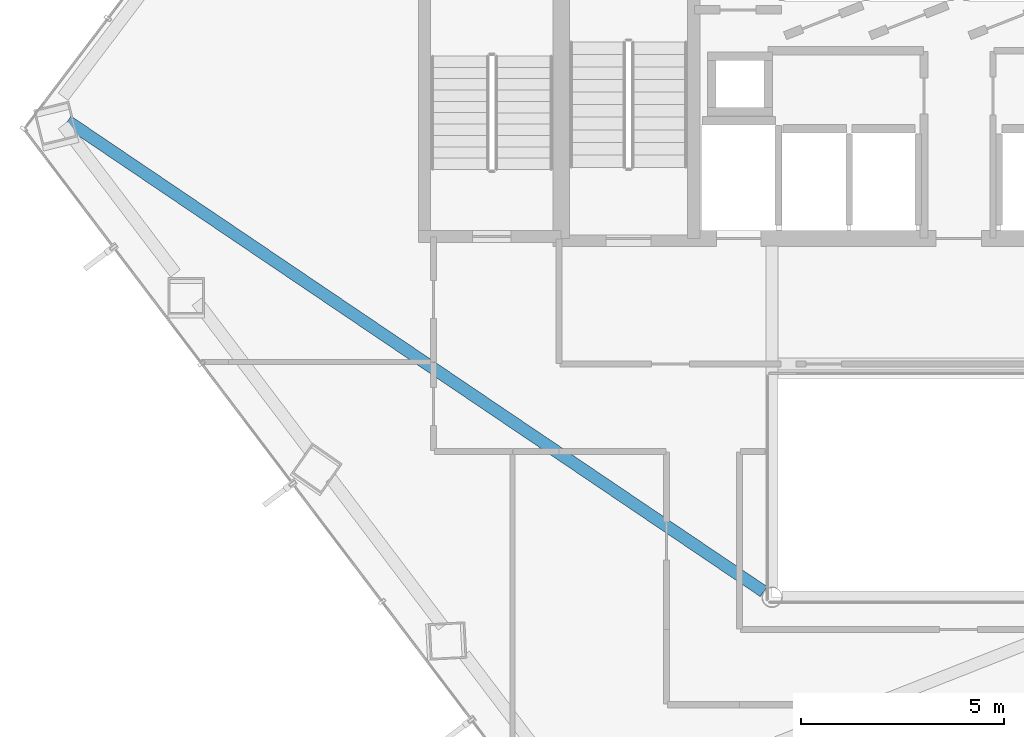
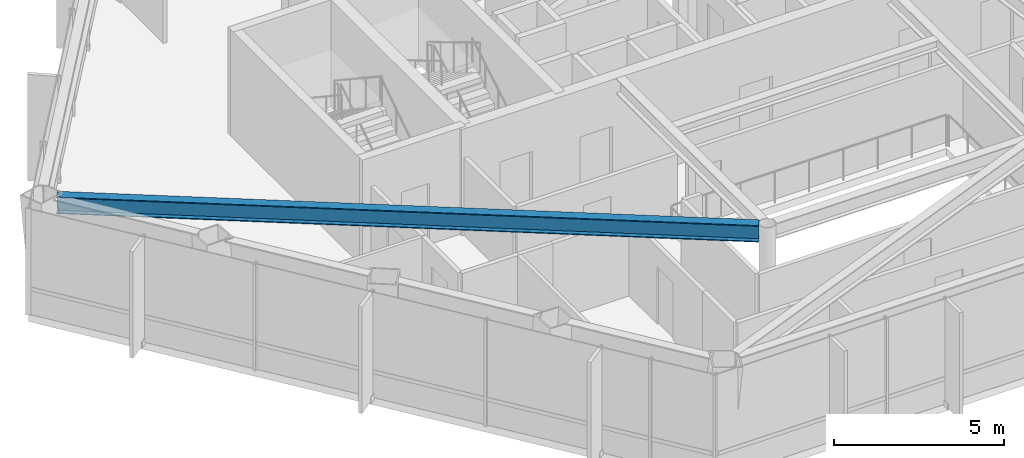
# One storey, part 5 of 26: 1 beam.
"""IFC4 building model written with IfcOpenShell, lengths in metres."""

from ifc_helpers import new_model, si_unit, direction, frame, origin, origin_2d, place, context, subcontext, project, spatial, i_section, extrude, material, material_profile, profile_set, type_object, element, save


model = new_model("IFC4")

# Units and contexts
model_context = context("Model", 3, precision=1e-05, world=origin(), true_north=direction((0.0, 1.0)))
body_context = subcontext(model_context, "Body", "Model", "MODEL_VIEW")
ifc_project = project(units=[si_unit("LENGTHUNIT", "METRE"), si_unit("AREAUNIT", "SQUARE_METRE"), si_unit("VOLUMEUNIT", "CUBIC_METRE"), si_unit("PLANEANGLEUNIT", "RADIAN"), si_unit("MASSUNIT", "GRAM", prefix="KILO")], contexts=[model_context])

# Site, building, storey
site_placement = place(None, origin())
site = spatial("IfcSite", under=ifc_project, at=site_placement, CompositionType="ELEMENT")
building_placement = place(site_placement, origin())
building = spatial("IfcBuilding", under=site, at=building_placement, Name="Zarrinselat Tower", CompositionType="ELEMENT")
storey_placement = place(building_placement, frame((0.0, 0.0, 92.820068359375)))
storey = spatial("IfcBuildingStorey", under=building, at=storey_placement, Name="L22", CompositionType="ELEMENT", Elevation=92.820068359375)

# Beam
ifc_material = material(Name="Steel S355J2", Category="steel")
ifc_material_profile = material_profile(ifc_material, i_section(OverallWidth=0.300048828125, OverallDepth=0.60009765625, WebThickness=0.015380859375, FlangeThickness=0.030029296875, at=origin_2d()), Name="HEB 600")
ifc_profile_set = profile_set([ifc_material_profile], Name="Steel S355J2")
beam_type = type_object("IfcBeamType", Name="BM-HEB600", PredefinedType="BEAM", material=ifc_profile_set)
beam_placement = place(storey_placement, frame((16.426513671875, 36.142822265625, 3.52001953125), z_axis=(0.828504014606, -0.559983122766, 0.0), x_axis=(0.559983122766, 0.828504014606, 0.0)))
element("IfcBeam", 1, at=beam_placement, inside=storey, type_object=beam_type, Name="L22 Radial Primary Girder RG06", PredefinedType="BEAM", context=body_context, shape_type="SweptSolid", body=[
    extrude(i_section(OverallWidth=0.300048828125, OverallDepth=0.60009765625, WebThickness=0.015380859375, FlangeThickness=0.030029296875, at=origin_2d()), origin(), (0.0, 0.0, 1.0), 20.719970703125),
])

save(model, "model.ifc")
